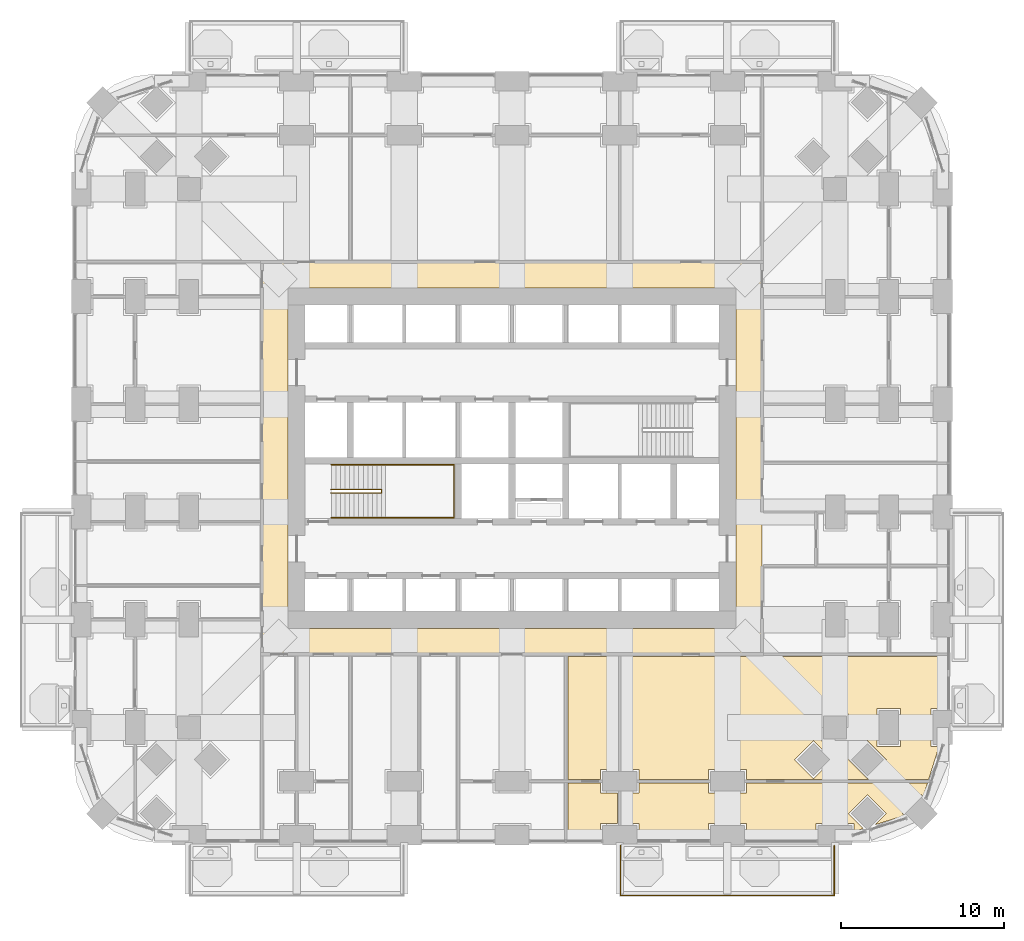
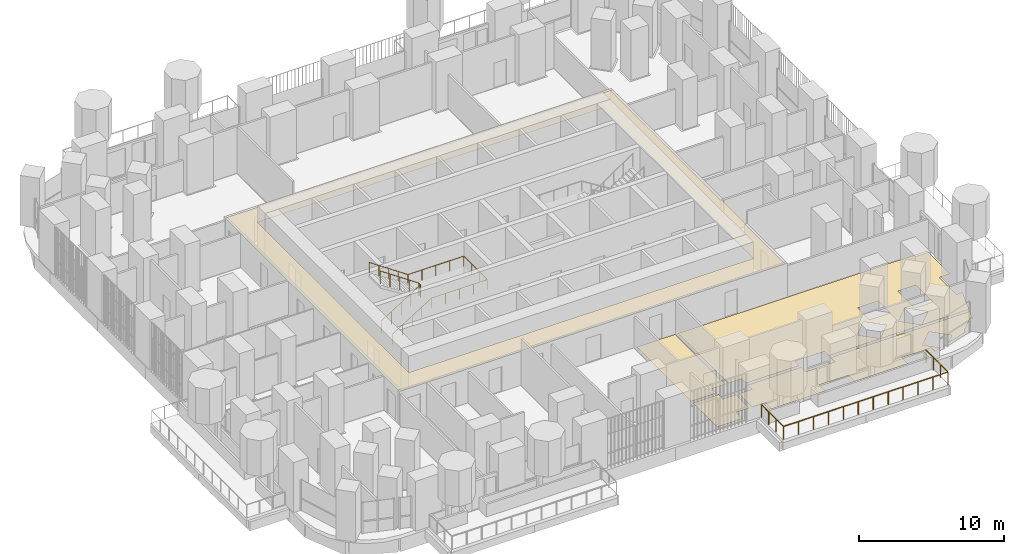
# One storey, part 24 of 27: 5 coverings, 3 railings.
"""IFC4 building model written with IfcOpenShell, lengths in metres."""

from ifc_helpers import new_model, si_unit, direction, frame, origin, place, context, subcontext, project, spatial, polyline, outline, extrude, material, layer, layer_set, type_object, element, save


model = new_model("IFC4")

# Units and contexts
model_context = context("Model", 3, precision=1e-05, world=origin(), true_north=direction((0.0, 1.0)))
body_context = subcontext(model_context, "Body", "Model", "MODEL_VIEW")
ifc_project = project(units=[si_unit("LENGTHUNIT", "METRE"), si_unit("AREAUNIT", "SQUARE_METRE"), si_unit("VOLUMEUNIT", "CUBIC_METRE"), si_unit("PLANEANGLEUNIT", "RADIAN"), si_unit("MASSUNIT", "GRAM", prefix="KILO")], contexts=[model_context])

# Site, building, storey
site_placement = place(None, origin())
site = spatial("IfcSite", under=ifc_project, at=site_placement, CompositionType="ELEMENT")
building_placement = place(site_placement, origin())
building = spatial("IfcBuilding", under=site, at=building_placement, Name="Cobogo Forest Laboratory Tower", CompositionType="ELEMENT")
storey_placement = place(building_placement, frame((0.0, 0.0, 63.300048828125)))
storey = spatial("IfcBuildingStorey", under=building, at=storey_placement, Name="L14", CompositionType="ELEMENT", Elevation=63.300048828125)

# Railing
ifc_material_1 = material(Name="Laminated glass balustrade", Category="glass")
railing_type_1 = type_object("IfcRailingType", Name="BG1 glass balustrade 1100", PredefinedType="GUARDRAIL", material=ifc_material_1)
railing_1_placement = place(storey_placement, frame((33.050048828125, -0.64990234375, 0.0)))
element("IfcRailing", 1, at=railing_1_placement, inside=storey, type_object=railing_type_1, Name="Balcony balustrade BAL-S2 L14", PredefinedType="GUARDRAIL", context=body_context, shape_type="SweptSolid", body=[
    extrude(outline(polyline([(0.022216796875, 0.00927734375), (0.00927734375, 0.022216796875), (-0.00927734375, 0.022216796875), (-0.022216796875, 0.00927734375), (-0.022216796875, -0.00927734375), (-0.00927734375, -0.022216796875), (0.00927734375, -0.022216796875), (0.022216796875, -0.00927734375), (0.022216796875, 0.00927734375)])), frame((0.0, 0.0, 1.077880859375), z_axis=(0.0, -1.0, 0.0), x_axis=(1.0, 0.0, 0.0)), (0.0, 0.0, 1.0), 3.050048828125),
    extrude(outline(polyline([(0.022216796875, 0.00927734375), (0.00927734375, 0.022216796875), (-0.00927734375, 0.022216796875), (-0.022216796875, 0.00927734375), (-0.022216796875, -0.00927734375), (-0.00927734375, -0.022216796875), (0.00927734375, -0.022216796875), (0.022216796875, -0.00927734375), (0.022216796875, 0.00927734375)])), frame((0.0, -3.050048828125, 1.077880859375), z_axis=(1.0, 0.0, 0.0), x_axis=(0.0, 1.0, 0.0)), (0.0, 0.0, 1.0), 13.099853515625),
    extrude(outline(polyline([(0.022216796875, 0.00927734375), (0.00927734375, 0.022216796875), (-0.00927734375, 0.022216796875), (-0.022216796875, 0.00927734375), (-0.022216796875, -0.00927734375), (-0.00927734375, -0.022216796875), (0.00927734375, -0.022216796875), (0.022216796875, -0.00927734375), (0.022216796875, 0.00927734375)])), frame((13.099853515625, -3.050048828125, 1.077880859375), z_axis=(0.0, 1.0, 0.0), x_axis=(-1.0, 0.0, 0.0)), (0.0, 0.0, 1.0), 3.050048828125),
    extrude(outline(polyline([(0.019287109375, 0.008056640625), (0.008056640625, 0.019287109375), (-0.008056640625, 0.019287109375), (-0.019287109375, 0.008056640625), (-0.019287109375, -0.008056640625), (-0.008056640625, -0.019287109375), (0.008056640625, -0.019287109375), (0.019287109375, -0.008056640625), (0.019287109375, 0.008056640625)])), origin(), (0.0, 0.0, 1.0), 1.077880859375),
    extrude(outline(polyline([(0.019287109375, 0.008056640625), (0.008056640625, 0.019287109375), (-0.008056640625, 0.019287109375), (-0.019287109375, 0.008056640625), (-0.019287109375, -0.008056640625), (-0.008056640625, -0.019287109375), (0.008056640625, -0.019287109375), (0.019287109375, -0.008056640625), (0.019287109375, 0.008056640625)])), frame((0.0, -1.0166015625, 0.0)), (0.0, 0.0, 1.0), 1.077880859375),
    extrude(outline(polyline([(0.019287109375, 0.008056640625), (0.008056640625, 0.019287109375), (-0.008056640625, 0.019287109375), (-0.019287109375, 0.008056640625), (-0.019287109375, -0.008056640625), (-0.008056640625, -0.019287109375), (0.008056640625, -0.019287109375), (0.019287109375, -0.008056640625), (0.019287109375, 0.008056640625)])), frame((0.0, -2.033447265625, 0.0)), (0.0, 0.0, 1.0), 1.077880859375),
    extrude(outline(polyline([(0.019287109375, 0.008056640625), (0.008056640625, 0.019287109375), (-0.008056640625, 0.019287109375), (-0.019287109375, 0.008056640625), (-0.019287109375, -0.008056640625), (-0.008056640625, -0.019287109375), (0.008056640625, -0.019287109375), (0.019287109375, -0.008056640625), (0.019287109375, 0.008056640625)])), frame((0.0, -3.050048828125, 0.0)), (0.0, 0.0, 1.0), 1.077880859375),
    extrude(outline(polyline([(0.019287109375, 0.008056640625), (0.008056640625, 0.019287109375), (-0.008056640625, 0.019287109375), (-0.019287109375, 0.008056640625), (-0.019287109375, -0.008056640625), (-0.008056640625, -0.019287109375), (0.008056640625, -0.019287109375), (0.019287109375, -0.008056640625), (0.019287109375, 0.008056640625)])), frame((1.19091796875, -3.050048828125, 0.0)), (0.0, 0.0, 1.0), 1.077880859375),
    extrude(outline(polyline([(0.019287109375, 0.008056640625), (0.008056640625, 0.019287109375), (-0.008056640625, 0.019287109375), (-0.019287109375, 0.008056640625), (-0.019287109375, -0.008056640625), (-0.008056640625, -0.019287109375), (0.008056640625, -0.019287109375), (0.019287109375, -0.008056640625), (0.019287109375, 0.008056640625)])), frame((2.3818359375, -3.050048828125, 0.0)), (0.0, 0.0, 1.0), 1.077880859375),
    extrude(outline(polyline([(0.019287109375, 0.008056640625), (0.008056640625, 0.019287109375), (-0.008056640625, 0.019287109375), (-0.019287109375, 0.008056640625), (-0.019287109375, -0.008056640625), (-0.008056640625, -0.019287109375), (0.008056640625, -0.019287109375), (0.019287109375, -0.008056640625), (0.019287109375, 0.008056640625)])), frame((3.57275390625, -3.050048828125, 0.0)), (0.0, 0.0, 1.0), 1.077880859375),
    extrude(outline(polyline([(0.019287109375, 0.008056640625), (0.008056640625, 0.019287109375), (-0.008056640625, 0.019287109375), (-0.019287109375, 0.008056640625), (-0.019287109375, -0.008056640625), (-0.008056640625, -0.019287109375), (0.008056640625, -0.019287109375), (0.019287109375, -0.008056640625), (0.019287109375, 0.008056640625)])), frame((4.763671875, -3.050048828125, 0.0)), (0.0, 0.0, 1.0), 1.077880859375),
    extrude(outline(polyline([(0.019287109375, 0.008056640625), (0.008056640625, 0.019287109375), (-0.008056640625, 0.019287109375), (-0.019287109375, 0.008056640625), (-0.019287109375, -0.008056640625), (-0.008056640625, -0.019287109375), (0.008056640625, -0.019287109375), (0.019287109375, -0.008056640625), (0.019287109375, 0.008056640625)])), frame((5.95458984375, -3.050048828125, 0.0)), (0.0, 0.0, 1.0), 1.077880859375),
    extrude(outline(polyline([(0.019287109375, 0.008056640625), (0.008056640625, 0.019287109375), (-0.008056640625, 0.019287109375), (-0.019287109375, 0.008056640625), (-0.019287109375, -0.008056640625), (-0.008056640625, -0.019287109375), (0.008056640625, -0.019287109375), (0.019287109375, -0.008056640625), (0.019287109375, 0.008056640625)])), frame((7.145263671875, -3.050048828125, 0.0)), (0.0, 0.0, 1.0), 1.077880859375),
    extrude(outline(polyline([(0.019287109375, 0.008056640625), (0.008056640625, 0.019287109375), (-0.008056640625, 0.019287109375), (-0.019287109375, 0.008056640625), (-0.019287109375, -0.008056640625), (-0.008056640625, -0.019287109375), (0.008056640625, -0.019287109375), (0.019287109375, -0.008056640625), (0.019287109375, 0.008056640625)])), frame((8.336181640625, -3.050048828125, 0.0)), (0.0, 0.0, 1.0), 1.077880859375),
    extrude(outline(polyline([(0.019287109375, 0.008056640625), (0.008056640625, 0.019287109375), (-0.008056640625, 0.019287109375), (-0.019287109375, 0.008056640625), (-0.019287109375, -0.008056640625), (-0.008056640625, -0.019287109375), (0.008056640625, -0.019287109375), (0.019287109375, -0.008056640625), (0.019287109375, 0.008056640625)])), frame((9.527099609375, -3.050048828125, 0.0)), (0.0, 0.0, 1.0), 1.077880859375),
    extrude(outline(polyline([(0.019287109375, 0.008056640625), (0.008056640625, 0.019287109375), (-0.008056640625, 0.019287109375), (-0.019287109375, 0.008056640625), (-0.019287109375, -0.008056640625), (-0.008056640625, -0.019287109375), (0.008056640625, -0.019287109375), (0.019287109375, -0.008056640625), (0.019287109375, 0.008056640625)])), frame((10.718017578125, -3.050048828125, 0.0)), (0.0, 0.0, 1.0), 1.077880859375),
    extrude(outline(polyline([(0.019287109375, 0.008056640625), (0.008056640625, 0.019287109375), (-0.008056640625, 0.019287109375), (-0.019287109375, 0.008056640625), (-0.019287109375, -0.008056640625), (-0.008056640625, -0.019287109375), (0.008056640625, -0.019287109375), (0.019287109375, -0.008056640625), (0.019287109375, 0.008056640625)])), frame((11.908935546875, -3.050048828125, 0.0)), (0.0, 0.0, 1.0), 1.077880859375),
    extrude(outline(polyline([(0.019287109375, 0.008056640625), (0.008056640625, 0.019287109375), (-0.008056640625, 0.019287109375), (-0.019287109375, 0.008056640625), (-0.019287109375, -0.008056640625), (-0.008056640625, -0.019287109375), (0.008056640625, -0.019287109375), (0.019287109375, -0.008056640625), (0.019287109375, 0.008056640625)])), frame((13.099853515625, -3.050048828125, 0.0)), (0.0, 0.0, 1.0), 1.077880859375),
    extrude(outline(polyline([(0.019287109375, 0.008056640625), (0.008056640625, 0.019287109375), (-0.008056640625, 0.019287109375), (-0.019287109375, 0.008056640625), (-0.019287109375, -0.008056640625), (-0.008056640625, -0.019287109375), (0.008056640625, -0.019287109375), (0.019287109375, -0.008056640625), (0.019287109375, 0.008056640625)])), frame((13.099853515625, -2.033447265625, 0.0)), (0.0, 0.0, 1.0), 1.077880859375),
    extrude(outline(polyline([(0.019287109375, 0.008056640625), (0.008056640625, 0.019287109375), (-0.008056640625, 0.019287109375), (-0.019287109375, 0.008056640625), (-0.019287109375, -0.008056640625), (-0.008056640625, -0.019287109375), (0.008056640625, -0.019287109375), (0.019287109375, -0.008056640625), (0.019287109375, 0.008056640625)])), frame((13.099853515625, -1.0166015625, 0.0)), (0.0, 0.0, 1.0), 1.077880859375),
    extrude(outline(polyline([(0.019287109375, 0.008056640625), (0.008056640625, 0.019287109375), (-0.008056640625, 0.019287109375), (-0.019287109375, 0.008056640625), (-0.019287109375, -0.008056640625), (-0.008056640625, -0.019287109375), (0.008056640625, -0.019287109375), (0.019287109375, -0.008056640625), (0.019287109375, 0.008056640625)])), frame((13.099853515625, 0.0, 0.0)), (0.0, 0.0, 1.0), 1.077880859375),
])

# Coverings
ifc_material_2 = material(Name="Mineral fibre ceiling tile", Category="ceiling")
ifc_layer_1 = layer(ifc_material_2, 0.02001953125)
ifc_layer_set_1 = layer_set([ifc_layer_1], Name="CL1 suspended ceiling")
covering_type_1 = type_object("IfcCoveringType", Name="CL1 suspended ceiling", PredefinedType="CEILING", material=ifc_layer_set_1)
covering_1_placement = place(storey_placement, frame((0.0, 0.0, 2.800048828125)))
element("IfcCovering", 2, at=covering_1_placement, inside=storey, type_object=covering_type_1, Name="Corridor ceiling L14", PredefinedType="CEILING", context=body_context, shape_type="SweptSolid", body=[
    extrude(outline(polyline([(11.074951171875, 11.074951171875), (11.074951171875, 35.125), (41.72509765625, 35.125), (41.72509765625, 11.074951171875), (11.074951171875, 11.074951171875)]), holes=[polyline([(40.125, 33.52490234375), (12.675048828125, 33.52490234375), (12.675048828125, 12.675048828125), (40.125, 12.675048828125), (40.125, 33.52490234375)])]), origin(), (0.0, 0.0, 1.0), 0.02001953125),
])
ifc_material_3 = material(Name="Carpet tile on raised access floor", Category="flooring")
ifc_layer_2 = layer(ifc_material_3, 0.008056640625)
ifc_layer_set_2 = layer_set([ifc_layer_2], Name="CT1 carpet tile floor 8")
covering_type_2 = type_object("IfcCoveringType", Name="CT1 carpet tile floor 8", PredefinedType="FLOORING", material=ifc_layer_set_2)
covering_2_placement = place(storey_placement, origin())
element("IfcCovering", 3, at=covering_2_placement, inside=storey, type_object=covering_type_2, Name="Carpet floor L14-09", PredefinedType="FLOORING", context=body_context, shape_type="SweptSolid", body=[
    extrude(outline(polyline([(31.830078125, 3.179931640625), (31.830078125, 2.580078125), (32.8798828125, 2.580078125), (32.8798828125, 0.719970703125), (31.830078125, 0.719970703125), (31.830078125, -0.14990234375), (29.820068359375, -0.14990234375), (29.820068359375, 3.179931640625), (31.830078125, 3.179931640625)])), origin(), (0.0, 0.0, 1.0), 0.008056640625),
])
covering_3_placement = place(storey_placement, origin())
element("IfcCovering", 4, at=covering_3_placement, inside=storey, type_object=covering_type_2, Name="Carpet floor L14-11", PredefinedType="FLOORING", context=body_context, shape_type="SweptSolid", body=[
    extrude(outline(polyline([(38.429931640625, 3.179931640625), (38.429931640625, 2.580078125), (40.77001953125, 2.580078125), (40.77001953125, 3.179931640625), (51.8603515625, 3.179931640625), (51.600830078125, 2.358642578125), (51.48193359375, 2.477783203125), (50.322265625, 1.318115234375), (50.441162109375, 1.19921875), (48.660400390625, 0.63671875), (49.341552734375, 1.318115234375), (48.181884765625, 2.477783203125), (47.022216796875, 1.318115234375), (47.933349609375, 0.406982421875), (47.3701171875, 0.229248046875), (47.3701171875, 0.719970703125), (45.030029296875, 0.719970703125), (45.030029296875, -0.14990234375), (40.77001953125, -0.14990234375), (40.77001953125, 0.719970703125), (38.429931640625, 0.719970703125), (38.429931640625, -0.14990234375), (34.169921875, -0.14990234375), (34.169921875, 0.719970703125), (33.1201171875, 0.719970703125), (33.1201171875, 2.580078125), (34.169921875, 2.580078125), (34.169921875, 3.179931640625), (38.429931640625, 3.179931640625)])), origin(), (0.0, 0.0, 1.0), 0.008056640625),
])

# Railings
ifc_material_4 = material(Name="Steel balustrade", Category="steel")
railing_type_2 = type_object("IfcRailingType", Name="GR stair guard 1100", PredefinedType="GUARDRAIL", material=ifc_material_4)
railing_2_placement = place(storey_placement, frame((15.324951171875, 20.969970703125, 0.175048828125)))
element("IfcRailing", 5, at=railing_2_placement, inside=storey, type_object=railing_type_2, Name="Stair guard ST1 L14", PredefinedType="GUARDRAIL", context=body_context, shape_type="SweptSolid", body=[
    extrude(outline(polyline([(0.022216796875, 0.00927734375), (0.00927734375, 0.022216796875), (-0.00927734375, 0.022216796875), (-0.022216796875, 0.00927734375), (-0.022216796875, -0.00927734375), (-0.00927734375, -0.022216796875), (0.00927734375, -0.022216796875), (0.022216796875, -0.00927734375), (0.022216796875, 0.00927734375)])), frame((0.0, 0.0, 1.077880859375), z_axis=(0.848028513186, 0.0, 0.529950602248), x_axis=(0.0, 1.0, 0.0)), (0.0, 0.0, 1.0), 3.632080078125),
    extrude(outline(polyline([(0.022216796875, 0.00927734375), (0.00927734375, 0.022216796875), (-0.00927734375, 0.022216796875), (-0.022216796875, 0.00927734375), (-0.022216796875, -0.00927734375), (-0.00927734375, -0.022216796875), (0.00927734375, -0.022216796875), (0.022216796875, -0.00927734375), (0.022216796875, 0.00927734375)])), frame((3.080078125, 0.0, 3.002685546875), z_axis=(0.0, 1.0, 0.0), x_axis=(-1.0, 0.0, 0.0)), (0.0, 0.0, 1.0), 0.2099609375),
    extrude(outline(polyline([(0.022216796875, 0.00927734375), (0.00927734375, 0.022216796875), (-0.00927734375, 0.022216796875), (-0.022216796875, 0.00927734375), (-0.022216796875, -0.00927734375), (-0.00927734375, -0.022216796875), (0.00927734375, -0.022216796875), (0.022216796875, -0.00927734375), (0.022216796875, 0.00927734375)])), frame((3.080078125, 0.2099609375, 3.002685546875), z_axis=(-0.826221800596, 0.0, 0.563344953133), x_axis=(0.0, -1.0, 0.0)), (0.0, 0.0, 1.0), 3.72802734375),
    extrude(outline(polyline([(0.019287109375, 0.008056640625), (0.008056640625, 0.019287109375), (-0.008056640625, 0.019287109375), (-0.019287109375, 0.008056640625), (-0.019287109375, -0.008056640625), (-0.008056640625, -0.019287109375), (0.008056640625, -0.019287109375), (0.019287109375, -0.008056640625), (0.019287109375, 0.008056640625)])), origin(), (0.0, 0.0, 1.0), 1.077880859375),
    extrude(outline(polyline([(0.019287109375, 0.008056640625), (0.008056640625, 0.019287109375), (-0.008056640625, 0.019287109375), (-0.019287109375, 0.008056640625), (-0.019287109375, -0.008056640625), (-0.008056640625, -0.019287109375), (0.008056640625, -0.019287109375), (0.019287109375, -0.008056640625), (0.019287109375, 0.008056640625)])), frame((0.77001953125, 0.0, 0.481201171875)), (0.0, 0.0, 1.0), 1.077880859375),
    extrude(outline(polyline([(0.019287109375, 0.008056640625), (0.008056640625, 0.019287109375), (-0.008056640625, 0.019287109375), (-0.019287109375, 0.008056640625), (-0.019287109375, -0.008056640625), (-0.008056640625, -0.019287109375), (0.008056640625, -0.019287109375), (0.019287109375, -0.008056640625), (0.019287109375, 0.008056640625)])), frame((1.5400390625, 0.0, 0.96240234375)), (0.0, 0.0, 1.0), 1.077880859375),
    extrude(outline(polyline([(0.019287109375, 0.008056640625), (0.008056640625, 0.019287109375), (-0.008056640625, 0.019287109375), (-0.019287109375, 0.008056640625), (-0.019287109375, -0.008056640625), (-0.008056640625, -0.019287109375), (0.008056640625, -0.019287109375), (0.019287109375, -0.008056640625), (0.019287109375, 0.008056640625)])), frame((2.31005859375, 0.0, 1.443603515625)), (0.0, 0.0, 1.0), 1.077880859375),
    extrude(outline(polyline([(0.019287109375, 0.008056640625), (0.008056640625, 0.019287109375), (-0.008056640625, 0.019287109375), (-0.019287109375, 0.008056640625), (-0.019287109375, -0.008056640625), (-0.008056640625, -0.019287109375), (0.008056640625, -0.019287109375), (0.019287109375, -0.008056640625), (0.019287109375, 0.008056640625)])), frame((3.080078125, 0.0, 1.9248046875)), (0.0, 0.0, 1.0), 1.077880859375),
    extrude(outline(polyline([(0.019287109375, 0.008056640625), (0.008056640625, 0.019287109375), (-0.008056640625, 0.019287109375), (-0.019287109375, 0.008056640625), (-0.019287109375, -0.008056640625), (-0.008056640625, -0.019287109375), (0.008056640625, -0.019287109375), (0.019287109375, -0.008056640625), (0.019287109375, 0.008056640625)])), frame((3.080078125, 0.2099609375, 1.9248046875)), (0.0, 0.0, 1.0), 1.077880859375),
    extrude(outline(polyline([(0.019287109375, 0.008056640625), (0.008056640625, 0.019287109375), (-0.008056640625, 0.019287109375), (-0.019287109375, 0.008056640625), (-0.019287109375, -0.008056640625), (-0.008056640625, -0.019287109375), (0.008056640625, -0.019287109375), (0.019287109375, -0.008056640625), (0.019287109375, 0.008056640625)])), frame((2.31005859375, 0.2099609375, 2.44970703125)), (0.0, 0.0, 1.0), 1.077880859375),
    extrude(outline(polyline([(0.019287109375, 0.008056640625), (0.008056640625, 0.019287109375), (-0.008056640625, 0.019287109375), (-0.019287109375, 0.008056640625), (-0.019287109375, -0.008056640625), (-0.008056640625, -0.019287109375), (0.008056640625, -0.019287109375), (0.019287109375, -0.008056640625), (0.019287109375, 0.008056640625)])), frame((1.5400390625, 0.2099609375, 2.974853515625)), (0.0, 0.0, 1.0), 1.077880859375),
    extrude(outline(polyline([(0.019287109375, 0.008056640625), (0.008056640625, 0.019287109375), (-0.008056640625, 0.019287109375), (-0.019287109375, 0.008056640625), (-0.019287109375, -0.008056640625), (-0.008056640625, -0.019287109375), (0.008056640625, -0.019287109375), (0.019287109375, -0.008056640625), (0.019287109375, 0.008056640625)])), frame((0.77001953125, 0.2099609375, 3.5)), (0.0, 0.0, 1.0), 1.077880859375),
    extrude(outline(polyline([(0.019287109375, 0.008056640625), (0.008056640625, 0.019287109375), (-0.008056640625, 0.019287109375), (-0.019287109375, 0.008056640625), (-0.019287109375, -0.008056640625), (-0.008056640625, -0.019287109375), (0.008056640625, -0.019287109375), (0.019287109375, -0.008056640625), (0.019287109375, 0.008056640625)])), frame((0.0, 0.2099609375, 4.02490234375)), (0.0, 0.0, 1.0), 1.077880859375),
])
ifc_material_5 = material(Name="Stainless steel handrail", Category="steel")
railing_type_3 = type_object("IfcRailingType", Name="HR handrail 900", PredefinedType="HANDRAIL", material=ifc_material_5)
railing_3_placement = place(storey_placement, frame((15.324951171875, 19.449951171875, 0.175048828125)))
element("IfcRailing", 6, at=railing_3_placement, inside=storey, type_object=railing_type_3, Name="Stair handrail ST1 L14", PredefinedType="HANDRAIL", context=body_context, shape_type="SweptSolid", body=[
    extrude(outline(polyline([(0.022216796875, 0.00927734375), (0.00927734375, 0.022216796875), (-0.00927734375, 0.022216796875), (-0.022216796875, 0.00927734375), (-0.022216796875, -0.00927734375), (-0.00927734375, -0.022216796875), (0.00927734375, -0.022216796875), (0.022216796875, -0.00927734375), (0.022216796875, 0.00927734375)])), frame((0.0, 0.0, 0.877685546875), z_axis=(0.848028513186, 0.0, 0.529950602248), x_axis=(0.0, 1.0, 0.0)), (0.0, 0.0, 1.0), 3.632080078125),
    extrude(outline(polyline([(0.022216796875, 0.00927734375), (0.00927734375, 0.022216796875), (-0.00927734375, 0.022216796875), (-0.022216796875, 0.00927734375), (-0.022216796875, -0.00927734375), (-0.00927734375, -0.022216796875), (0.00927734375, -0.022216796875), (0.022216796875, -0.00927734375), (0.022216796875, 0.00927734375)])), frame((3.080078125, 0.0, 2.802490234375), z_axis=(1.0, 0.0, 0.0), x_axis=(0.0, 1.0, 0.0)), (0.0, 0.0, 1.0), 4.445068359375),
    extrude(outline(polyline([(0.022216796875, 0.00927734375), (0.00927734375, 0.022216796875), (-0.00927734375, 0.022216796875), (-0.022216796875, 0.00927734375), (-0.022216796875, -0.00927734375), (-0.00927734375, -0.022216796875), (0.00927734375, -0.022216796875), (0.022216796875, -0.00927734375), (0.022216796875, 0.00927734375)])), frame((7.525146484375, 0.0, 2.802490234375), z_axis=(0.0, 1.0, 0.0), x_axis=(-1.0, 0.0, 0.0)), (0.0, 0.0, 1.0), 3.25),
    extrude(outline(polyline([(0.022216796875, 0.00927734375), (0.00927734375, 0.022216796875), (-0.00927734375, 0.022216796875), (-0.022216796875, 0.00927734375), (-0.022216796875, -0.00927734375), (-0.00927734375, -0.022216796875), (0.00927734375, -0.022216796875), (0.022216796875, -0.00927734375), (0.022216796875, 0.00927734375)])), frame((7.525146484375, 3.25, 2.802490234375), z_axis=(-1.0, 0.0, 0.0), x_axis=(0.0, -1.0, 0.0)), (0.0, 0.0, 1.0), 4.445068359375),
    extrude(outline(polyline([(0.022216796875, 0.00927734375), (0.00927734375, 0.022216796875), (-0.00927734375, 0.022216796875), (-0.022216796875, 0.00927734375), (-0.022216796875, -0.00927734375), (-0.00927734375, -0.022216796875), (0.00927734375, -0.022216796875), (0.022216796875, -0.00927734375), (0.022216796875, 0.00927734375)])), frame((3.080078125, 3.25, 2.802490234375), z_axis=(-0.826221800596, 0.0, 0.563344953133), x_axis=(0.0, -1.0, 0.0)), (0.0, 0.0, 1.0), 3.72802734375),
    extrude(outline(polyline([(0.019287109375, 0.008056640625), (0.008056640625, 0.019287109375), (-0.008056640625, 0.019287109375), (-0.019287109375, 0.008056640625), (-0.019287109375, -0.008056640625), (-0.008056640625, -0.019287109375), (0.008056640625, -0.019287109375), (0.019287109375, -0.008056640625), (0.019287109375, 0.008056640625)])), origin(), (0.0, 0.0, 1.0), 0.877685546875),
    extrude(outline(polyline([(0.019287109375, 0.008056640625), (0.008056640625, 0.019287109375), (-0.008056640625, 0.019287109375), (-0.019287109375, 0.008056640625), (-0.019287109375, -0.008056640625), (-0.008056640625, -0.019287109375), (0.008056640625, -0.019287109375), (0.019287109375, -0.008056640625), (0.019287109375, 0.008056640625)])), frame((0.77001953125, 0.0, 0.481201171875)), (0.0, 0.0, 1.0), 0.877685546875),
    extrude(outline(polyline([(0.019287109375, 0.008056640625), (0.008056640625, 0.019287109375), (-0.008056640625, 0.019287109375), (-0.019287109375, 0.008056640625), (-0.019287109375, -0.008056640625), (-0.008056640625, -0.019287109375), (0.008056640625, -0.019287109375), (0.019287109375, -0.008056640625), (0.019287109375, 0.008056640625)])), frame((1.5400390625, 0.0, 0.96240234375)), (0.0, 0.0, 1.0), 0.877685546875),
    extrude(outline(polyline([(0.019287109375, 0.008056640625), (0.008056640625, 0.019287109375), (-0.008056640625, 0.019287109375), (-0.019287109375, 0.008056640625), (-0.019287109375, -0.008056640625), (-0.008056640625, -0.019287109375), (0.008056640625, -0.019287109375), (0.019287109375, -0.008056640625), (0.019287109375, 0.008056640625)])), frame((2.31005859375, 0.0, 1.443603515625)), (0.0, 0.0, 1.0), 0.877685546875),
    extrude(outline(polyline([(0.019287109375, 0.008056640625), (0.008056640625, 0.019287109375), (-0.008056640625, 0.019287109375), (-0.019287109375, 0.008056640625), (-0.019287109375, -0.008056640625), (-0.008056640625, -0.019287109375), (0.008056640625, -0.019287109375), (0.019287109375, -0.008056640625), (0.019287109375, 0.008056640625)])), frame((3.080078125, 0.0, 1.9248046875)), (0.0, 0.0, 1.0), 0.877685546875),
    extrude(outline(polyline([(0.019287109375, 0.008056640625), (0.008056640625, 0.019287109375), (-0.008056640625, 0.019287109375), (-0.019287109375, 0.008056640625), (-0.019287109375, -0.008056640625), (-0.008056640625, -0.019287109375), (0.008056640625, -0.019287109375), (0.019287109375, -0.008056640625), (0.019287109375, 0.008056640625)])), frame((4.19140625, 0.0, 1.9248046875)), (0.0, 0.0, 1.0), 0.877685546875),
    extrude(outline(polyline([(0.019287109375, 0.008056640625), (0.008056640625, 0.019287109375), (-0.008056640625, 0.019287109375), (-0.019287109375, 0.008056640625), (-0.019287109375, -0.008056640625), (-0.008056640625, -0.019287109375), (0.008056640625, -0.019287109375), (0.019287109375, -0.008056640625), (0.019287109375, 0.008056640625)])), frame((5.302734375, 0.0, 1.9248046875)), (0.0, 0.0, 1.0), 0.877685546875),
    extrude(outline(polyline([(0.019287109375, 0.008056640625), (0.008056640625, 0.019287109375), (-0.008056640625, 0.019287109375), (-0.019287109375, 0.008056640625), (-0.019287109375, -0.008056640625), (-0.008056640625, -0.019287109375), (0.008056640625, -0.019287109375), (0.019287109375, -0.008056640625), (0.019287109375, 0.008056640625)])), frame((6.413818359375, 0.0, 1.9248046875)), (0.0, 0.0, 1.0), 0.877685546875),
    extrude(outline(polyline([(0.019287109375, 0.008056640625), (0.008056640625, 0.019287109375), (-0.008056640625, 0.019287109375), (-0.019287109375, 0.008056640625), (-0.019287109375, -0.008056640625), (-0.008056640625, -0.019287109375), (0.008056640625, -0.019287109375), (0.019287109375, -0.008056640625), (0.019287109375, 0.008056640625)])), frame((7.525146484375, 0.0, 1.9248046875)), (0.0, 0.0, 1.0), 0.877685546875),
    extrude(outline(polyline([(0.019287109375, 0.008056640625), (0.008056640625, 0.019287109375), (-0.008056640625, 0.019287109375), (-0.019287109375, 0.008056640625), (-0.019287109375, -0.008056640625), (-0.008056640625, -0.019287109375), (0.008056640625, -0.019287109375), (0.019287109375, -0.008056640625), (0.019287109375, 0.008056640625)])), frame((7.525146484375, 1.083251953125, 1.9248046875)), (0.0, 0.0, 1.0), 0.877685546875),
    extrude(outline(polyline([(0.019287109375, 0.008056640625), (0.008056640625, 0.019287109375), (-0.008056640625, 0.019287109375), (-0.019287109375, 0.008056640625), (-0.019287109375, -0.008056640625), (-0.008056640625, -0.019287109375), (0.008056640625, -0.019287109375), (0.019287109375, -0.008056640625), (0.019287109375, 0.008056640625)])), frame((7.525146484375, 2.166748046875, 1.9248046875)), (0.0, 0.0, 1.0), 0.877685546875),
    extrude(outline(polyline([(0.019287109375, 0.008056640625), (0.008056640625, 0.019287109375), (-0.008056640625, 0.019287109375), (-0.019287109375, 0.008056640625), (-0.019287109375, -0.008056640625), (-0.008056640625, -0.019287109375), (0.008056640625, -0.019287109375), (0.019287109375, -0.008056640625), (0.019287109375, 0.008056640625)])), frame((7.525146484375, 3.25, 1.9248046875)), (0.0, 0.0, 1.0), 0.877685546875),
    extrude(outline(polyline([(0.019287109375, 0.008056640625), (0.008056640625, 0.019287109375), (-0.008056640625, 0.019287109375), (-0.019287109375, 0.008056640625), (-0.019287109375, -0.008056640625), (-0.008056640625, -0.019287109375), (0.008056640625, -0.019287109375), (0.019287109375, -0.008056640625), (0.019287109375, 0.008056640625)])), frame((6.413818359375, 3.25, 1.9248046875)), (0.0, 0.0, 1.0), 0.877685546875),
    extrude(outline(polyline([(0.019287109375, 0.008056640625), (0.008056640625, 0.019287109375), (-0.008056640625, 0.019287109375), (-0.019287109375, 0.008056640625), (-0.019287109375, -0.008056640625), (-0.008056640625, -0.019287109375), (0.008056640625, -0.019287109375), (0.019287109375, -0.008056640625), (0.019287109375, 0.008056640625)])), frame((5.302734375, 3.25, 1.9248046875)), (0.0, 0.0, 1.0), 0.877685546875),
    extrude(outline(polyline([(0.019287109375, 0.008056640625), (0.008056640625, 0.019287109375), (-0.008056640625, 0.019287109375), (-0.019287109375, 0.008056640625), (-0.019287109375, -0.008056640625), (-0.008056640625, -0.019287109375), (0.008056640625, -0.019287109375), (0.019287109375, -0.008056640625), (0.019287109375, 0.008056640625)])), frame((4.19140625, 3.25, 1.9248046875)), (0.0, 0.0, 1.0), 0.877685546875),
    extrude(outline(polyline([(0.019287109375, 0.008056640625), (0.008056640625, 0.019287109375), (-0.008056640625, 0.019287109375), (-0.019287109375, 0.008056640625), (-0.019287109375, -0.008056640625), (-0.008056640625, -0.019287109375), (0.008056640625, -0.019287109375), (0.019287109375, -0.008056640625), (0.019287109375, 0.008056640625)])), frame((3.080078125, 3.25, 1.9248046875)), (0.0, 0.0, 1.0), 0.877685546875),
    extrude(outline(polyline([(0.019287109375, 0.008056640625), (0.008056640625, 0.019287109375), (-0.008056640625, 0.019287109375), (-0.019287109375, 0.008056640625), (-0.019287109375, -0.008056640625), (-0.008056640625, -0.019287109375), (0.008056640625, -0.019287109375), (0.019287109375, -0.008056640625), (0.019287109375, 0.008056640625)])), frame((2.31005859375, 3.25, 2.44970703125)), (0.0, 0.0, 1.0), 0.877685546875),
    extrude(outline(polyline([(0.019287109375, 0.008056640625), (0.008056640625, 0.019287109375), (-0.008056640625, 0.019287109375), (-0.019287109375, 0.008056640625), (-0.019287109375, -0.008056640625), (-0.008056640625, -0.019287109375), (0.008056640625, -0.019287109375), (0.019287109375, -0.008056640625), (0.019287109375, 0.008056640625)])), frame((1.5400390625, 3.25, 2.974853515625)), (0.0, 0.0, 1.0), 0.877685546875),
    extrude(outline(polyline([(0.019287109375, 0.008056640625), (0.008056640625, 0.019287109375), (-0.008056640625, 0.019287109375), (-0.019287109375, 0.008056640625), (-0.019287109375, -0.008056640625), (-0.008056640625, -0.019287109375), (0.008056640625, -0.019287109375), (0.019287109375, -0.008056640625), (0.019287109375, 0.008056640625)])), frame((0.77001953125, 3.25, 3.5)), (0.0, 0.0, 1.0), 0.877685546875),
    extrude(outline(polyline([(0.019287109375, 0.008056640625), (0.008056640625, 0.019287109375), (-0.008056640625, 0.019287109375), (-0.019287109375, 0.008056640625), (-0.019287109375, -0.008056640625), (-0.008056640625, -0.019287109375), (0.008056640625, -0.019287109375), (0.019287109375, -0.008056640625), (0.019287109375, 0.008056640625)])), frame((0.0, 3.25, 4.02490234375)), (0.0, 0.0, 1.0), 0.877685546875),
])

# Coverings
ifc_material_6 = material(Name="Epoxy resin flooring", Category="flooring")
ifc_layer_3 = layer(ifc_material_6, 0.00390625)
ifc_layer_set_3 = layer_set([ifc_layer_3], Name="LF1 epoxy laboratory floor 4")
covering_type_3 = type_object("IfcCoveringType", Name="LF1 epoxy laboratory floor 4", PredefinedType="FLOORING", material=ifc_layer_set_3)
covering_4_placement = place(storey_placement, origin())
element("IfcCovering", 7, at=covering_4_placement, inside=storey, type_object=covering_type_3, Name="Epoxy laboratory floor L14-08", PredefinedType="FLOORING", context=body_context, shape_type="SweptSolid", body=[
    extrude(outline(polyline([(29.820068359375, 10.955078125), (32.8798828125, 10.955078125), (32.8798828125, 4.02001953125), (31.830078125, 4.02001953125), (31.830078125, 3.419921875), (29.820068359375, 3.419921875), (29.820068359375, 10.955078125)])), origin(), (0.0, 0.0, 1.0), 0.00390625),
])
covering_5_placement = place(storey_placement, origin())
element("IfcCovering", 8, at=covering_5_placement, inside=storey, type_object=covering_type_3, Name="Epoxy laboratory floor L14-10", PredefinedType="FLOORING", context=body_context, shape_type="SweptSolid", body=[
    extrude(outline(polyline([(33.1201171875, 10.955078125), (52.949951171875, 10.955078125), (52.949951171875, 7.77001953125), (52.080078125, 7.77001953125), (52.080078125, 5.429931640625), (52.57080078125, 5.429931640625), (51.93603515625, 3.419921875), (40.77001953125, 3.419921875), (40.77001953125, 4.02001953125), (38.429931640625, 4.02001953125), (38.429931640625, 3.419921875), (34.169921875, 3.419921875), (34.169921875, 4.02001953125), (33.1201171875, 4.02001953125), (33.1201171875, 10.955078125)]), holes=[polyline([(48.780029296875, 5.429931640625), (50.219970703125, 5.429931640625), (50.219970703125, 7.77001953125), (48.780029296875, 7.77001953125), (48.780029296875, 5.429931640625)]), polyline([(48.181884765625, 5.777587890625), (47.022216796875, 4.617919921875), (48.181884765625, 3.458251953125), (49.341552734375, 4.617919921875), (48.181884765625, 5.777587890625)]), polyline([(45.3798828125, 7.419921875), (45.3798828125, 5.780029296875), (47.02001953125, 5.780029296875), (47.02001953125, 7.419921875), (45.3798828125, 7.419921875)]), polyline([(44.882080078125, 5.777587890625), (43.722412109375, 4.617919921875), (44.882080078125, 3.458251953125), (46.041748046875, 4.617919921875), (44.882080078125, 5.777587890625)])]), origin(), (0.0, 0.0, 1.0), 0.00390625),
])

save(model, "model.ifc")
